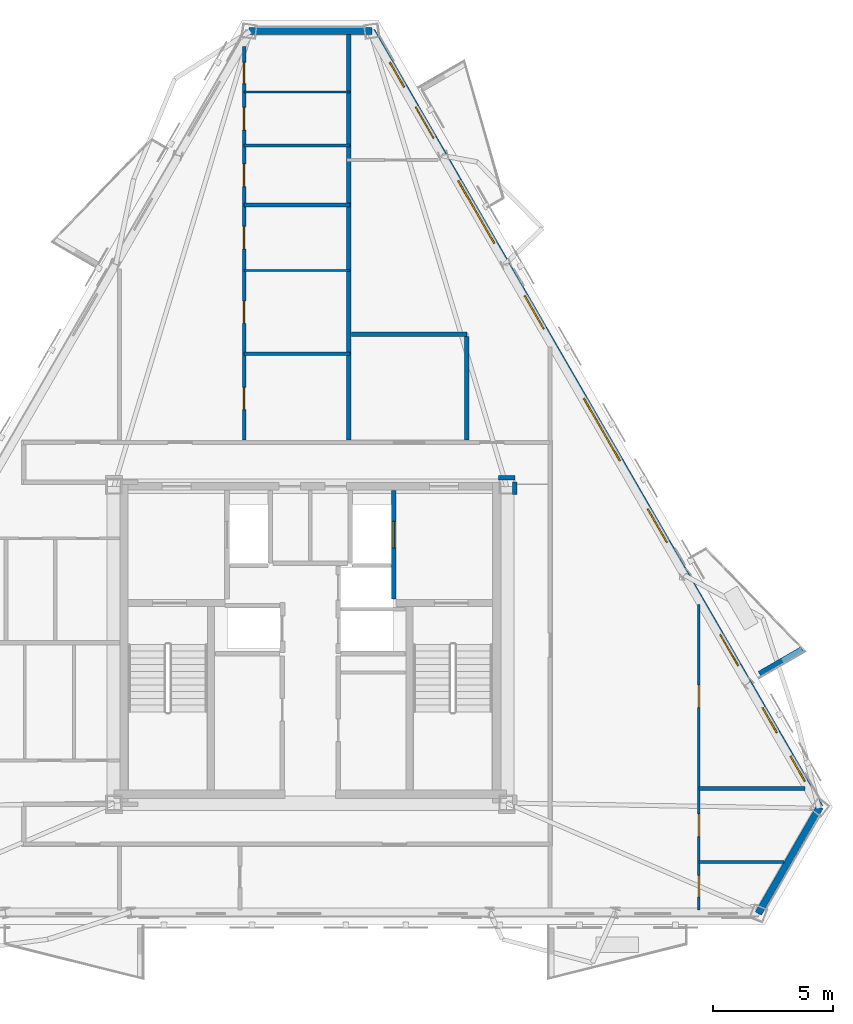
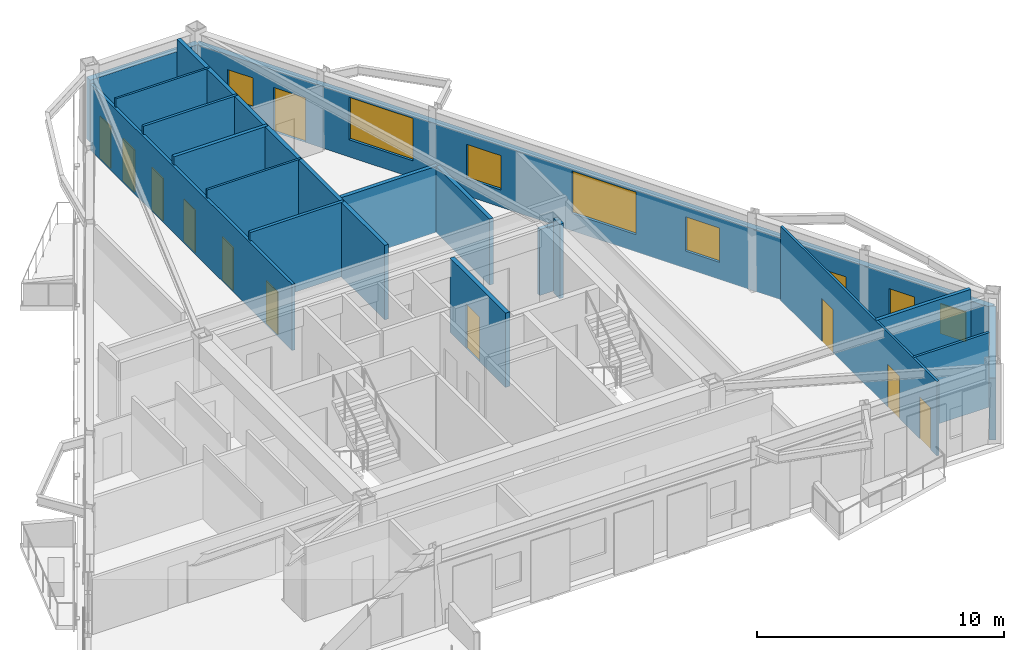
# One storey, part 5 of 9: 19 walls, 12 doors, 7 windows, 19 openings.
"""IFC4 building model written with IfcOpenShell, lengths in metres."""

from ifc_helpers import new_model, si_unit, direction, frame, frame_2d, origin, place, context, subcontext, project, spatial, polyline, rectangle, outline, extrude, material, layer, layer_set, type_object, element, fill, save


model = new_model("IFC4")

# Units and contexts
model_context = context("Model", 3, precision=1e-05, world=origin(), true_north=direction((0.0, 1.0)))
body_context = subcontext(model_context, "Body", "Model", "MODEL_VIEW")
ifc_project = project(units=[si_unit("LENGTHUNIT", "METRE"), si_unit("AREAUNIT", "SQUARE_METRE"), si_unit("VOLUMEUNIT", "CUBIC_METRE"), si_unit("PLANEANGLEUNIT", "RADIAN"), si_unit("MASSUNIT", "GRAM", prefix="KILO")], contexts=[model_context])

# Site, building, storey
site_placement = place(None, origin())
site = spatial("IfcSite", under=ifc_project, at=site_placement, CompositionType="ELEMENT")
building_placement = place(site_placement, origin())
building = spatial("IfcBuilding", under=site, at=building_placement, Name="Oramaril Tower", CompositionType="ELEMENT")
storey_placement = place(building_placement, frame((0.0, 0.0, 261.60009765625)))
storey = spatial("IfcBuildingStorey", under=building, at=storey_placement, Name="L69", CompositionType="ELEMENT", Elevation=261.60009765625)

# Wall
ifc_material_1 = material(Name="Warm Cream Limestone", Category="masonry")
ifc_layer_1 = layer(ifc_material_1, 0.2900390625)
ifc_layer_set_1 = layer_set([ifc_layer_1], Name="WT-EXT29")
wall_type_1 = type_object("IfcWallType", Name="WT-EXT29", PredefinedType="SOLIDWALL", material=ifc_layer_set_1)
wall_1_placement = place(storey_placement, frame((56.10009765625, 6.414306640625, 0.0), z_axis=(0.0, 0.0, 1.0), x_axis=(0.499981920546, 0.866035841711, 0.0)))
element("IfcWall", 1, at=wall_1_placement, inside=storey, type_object=wall_type_1, Name="L69 Tower Limestone Facade Wall 3M", PredefinedType="SOLIDWALL", context=body_context, shape_type="SweptSolid", body=[
    extrude(rectangle(XDim=5.104248046875, YDim=0.2900390625, at=frame_2d((2.55224609375, 0.0))), origin(), (0.0, 0.0, 1.0), 3.057861328125),
])

# Wall, openings, doors, windows
wall_2_placement = place(storey_placement, frame((58.652099609375, 10.834716796875, 0.0), z_axis=(0.0, 0.0, 1.0), x_axis=(-0.500002906693, 0.866023725598, 0.0)))
wall_2 = element("IfcWall", 2, at=wall_2_placement, inside=storey, type_object=wall_type_1, Name="L69 Tower Limestone Facade Wall 4M", PredefinedType="SOLIDWALL", context=body_context, shape_type="SweptSolid", body=[
    extrude(rectangle(XDim=37.199951171875, YDim=0.2900390625, at=frame_2d((18.60009765625, 0.0))), origin(), (0.0, 0.0, 1.0), 3.057861328125),
])
opening_1_placement = place(wall_2_placement, frame((6.7744140625, 0.0, 0.0)))
opening_1 = element("IfcOpeningElement", 3, at=opening_1_placement, cuts=wall_2, Name="Opening D-L69-BAL-NE1", PredefinedType="OPENING", context=body_context, shape_type="SweptSolid", body=[
    extrude(rectangle(XDim=1.5, YDim=2.199951171875, at=frame_2d((0.75, 1.10009765625))), frame((0.0, 0.14501953125, 0.0), z_axis=(0.0, -1.0, 0.0), x_axis=(1.0, 0.0, 0.0)), (0.0, 0.0, 1.0), 0.2900390625),
])
opening_2_placement = place(wall_2_placement, frame((32.060546875, 0.0, 0.0)))
opening_2 = element("IfcOpeningElement", 4, at=opening_2_placement, cuts=wall_2, Name="Opening D-L69-BAL-NE2", PredefinedType="OPENING", context=body_context, shape_type="SweptSolid", body=[
    extrude(rectangle(XDim=1.5, YDim=2.199951171875, at=frame_2d((0.75, 1.10009765625))), frame((0.0, 0.14501953125, 0.0), z_axis=(0.0, -1.0, 0.0), x_axis=(1.0, 0.0, 0.0)), (0.0, 0.0, 1.0), 0.2900390625),
])
opening_3_placement = place(wall_2_placement, frame((12.689208984375, 0.0, 0.85009765625)))
opening_3 = element("IfcOpeningElement", 5, at=opening_3_placement, cuts=wall_2, Name="Opening WN-07", PredefinedType="OPENING", context=body_context, shape_type="SweptSolid", body=[
    extrude(rectangle(XDim=1.60009765625, YDim=1.699951171875, at=frame_2d((0.800048828125, 0.85009765625))), frame((0.0, 0.14501953125, 0.0), z_axis=(0.0, -1.0, 0.0), x_axis=(1.0, 0.0, 0.0)), (0.0, 0.0, 1.0), 0.2900390625),
])
opening_4_placement = place(wall_2_placement, frame((16.59912109375, 0.0, 0.85009765625)))
opening_4 = element("IfcOpeningElement", 6, at=opening_4_placement, cuts=wall_2, Name="Opening WN-10", PredefinedType="OPENING", context=body_context, shape_type="SweptSolid", body=[
    extrude(rectangle(XDim=3.0, YDim=2.097900390625, at=frame_2d((1.5, 1.048828125))), frame((0.0, 0.14501953125, 0.0), z_axis=(0.0, -1.0, 0.0), x_axis=(1.0, 0.0, 0.0)), (0.0, 0.0, 1.0), 0.2900390625),
])
opening_5_placement = place(wall_2_placement, frame((1.240478515625, 0.0, 0.85009765625)))
opening_5 = element("IfcOpeningElement", 7, at=opening_5_placement, cuts=wall_2, Name="Opening WN-09", PredefinedType="OPENING", context=body_context, shape_type="SweptSolid", body=[
    extrude(rectangle(XDim=1.199951171875, YDim=1.47998046875, at=frame_2d((0.60009765625, 0.739990234375))), frame((0.0, 0.14501953125, 0.0), z_axis=(0.0, -1.0, 0.0), x_axis=(1.0, 0.0, 0.0)), (0.0, 0.0, 1.0), 0.2900390625),
])
opening_6_placement = place(wall_2_placement, frame((3.56591796875, 0.0, 0.85009765625)))
opening_6 = element("IfcOpeningElement", 8, at=opening_6_placement, cuts=wall_2, Name="Opening WN-09", PredefinedType="OPENING", context=body_context, shape_type="SweptSolid", body=[
    extrude(rectangle(XDim=1.199951171875, YDim=1.47998046875, at=frame_2d((0.60009765625, 0.739990234375))), frame((0.0, 0.14501953125, 0.0), z_axis=(0.0, -1.0, 0.0), x_axis=(1.0, 0.0, 0.0)), (0.0, 0.0, 1.0), 0.2900390625),
])
opening_7_placement = place(wall_2_placement, frame((22.9169921875, 0.0, 0.85009765625)))
opening_7 = element("IfcOpeningElement", 9, at=opening_7_placement, cuts=wall_2, Name="Opening WN-07", PredefinedType="OPENING", context=body_context, shape_type="SweptSolid", body=[
    extrude(rectangle(XDim=1.60009765625, YDim=1.699951171875, at=frame_2d((0.800048828125, 0.85009765625))), frame((0.0, 0.14501953125, 0.0), z_axis=(0.0, -1.0, 0.0), x_axis=(1.0, 0.0, 0.0)), (0.0, 0.0, 1.0), 0.2900390625),
])
opening_8_placement = place(wall_2_placement, frame((27.02490234375, 0.0, 0.85009765625)))
opening_8 = element("IfcOpeningElement", 10, at=opening_8_placement, cuts=wall_2, Name="Opening WN-10", PredefinedType="OPENING", context=body_context, shape_type="SweptSolid", body=[
    extrude(rectangle(XDim=3.0, YDim=2.097900390625, at=frame_2d((1.5, 1.048828125))), frame((0.0, 0.14501953125, 0.0), z_axis=(0.0, -1.0, 0.0), x_axis=(1.0, 0.0, 0.0)), (0.0, 0.0, 1.0), 0.2900390625),
])
opening_9_placement = place(wall_2_placement, frame((34.50830078125, 0.0, 0.85009765625)))
opening_9 = element("IfcOpeningElement", 11, at=opening_9_placement, cuts=wall_2, Name="Opening WN-09", PredefinedType="OPENING", context=body_context, shape_type="SweptSolid", body=[
    extrude(rectangle(XDim=1.199951171875, YDim=1.47998046875, at=frame_2d((0.60009765625, 0.739990234375))), frame((0.0, 0.14501953125, 0.0), z_axis=(0.0, -1.0, 0.0), x_axis=(1.0, 0.0, 0.0)), (0.0, 0.0, 1.0), 0.2900390625),
])
ifc_material_2 = material(Name="Anodised Aluminium 6063-T6", Category="aluminium")
door_type_1 = type_object("IfcDoorType", Name="DT-BAL", OperationType="NOTDEFINED", PredefinedType="DOOR", material=ifc_material_2)
door_1_placement = place(opening_1_placement, origin())
door_1 = element("IfcDoor", 12, at=door_1_placement, inside=storey, type_object=door_type_1, Name="L69 Balcony Glazed Door L69-BAL-NE1", OperationType="SINGLE_SWING_RIGHT", OverallHeight=2.199951171875, OverallWidth=1.5, PredefinedType="DOOR", context=body_context, shape_type="SweptSolid", body=[
    extrude(rectangle(XDim=1.5, YDim=2.199951171875, at=frame_2d((0.75, 1.10009765625))), frame((0.0, 0.02490234375, 0.0), z_axis=(0.0, -1.0, 0.0), x_axis=(1.0, 0.0, 0.0)), (0.0, 0.0, 1.0), 0.050048828125),
])
fill(opening_1, door_1)
door_2_placement = place(opening_2_placement, origin())
door_2 = element("IfcDoor", 13, at=door_2_placement, inside=storey, type_object=door_type_1, Name="L69 Balcony Glazed Door L69-BAL-NE2", OperationType="SINGLE_SWING_LEFT", OverallHeight=2.199951171875, OverallWidth=1.5, PredefinedType="DOOR", context=body_context, shape_type="SweptSolid", body=[
    extrude(rectangle(XDim=1.5, YDim=2.199951171875, at=frame_2d((0.75, 1.10009765625))), frame((0.0, 0.02490234375, 0.0), z_axis=(0.0, -1.0, 0.0), x_axis=(1.0, 0.0, 0.0)), (0.0, 0.0, 1.0), 0.050048828125),
])
fill(opening_2, door_2)
ifc_material_3 = material(Name="Coastal Low-E Insulated Glass", Category="glass")
window_type_1 = type_object("IfcWindowType", Name="WNT-07", PartitioningType="SINGLE_PANEL", PredefinedType="WINDOW", material=ifc_material_3)
window_1_placement = place(opening_3_placement, origin())
window_1 = element("IfcWindow", 14, at=window_1_placement, inside=storey, type_object=window_type_1, Name="L69 Chicago Bay Window WN-07", OverallHeight=1.699951171875, OverallWidth=1.60009765625, PartitioningType="SINGLE_PANEL", PredefinedType="WINDOW", context=body_context, shape_type="SweptSolid", body=[
    extrude(rectangle(XDim=1.60009765625, YDim=1.699951171875, at=frame_2d((0.800048828125, 0.85009765625))), frame((0.0, 0.030029296875, 0.0), z_axis=(0.0, -1.0, 0.0), x_axis=(1.0, 0.0, 0.0)), (0.0, 0.0, 1.0), 0.06005859375),
])
fill(opening_3, window_1)
window_2_placement = place(opening_7_placement, origin())
window_2 = element("IfcWindow", 15, at=window_2_placement, inside=storey, type_object=window_type_1, Name="L69 Chicago Bay Window WN-07", OverallHeight=1.699951171875, OverallWidth=1.60009765625, PartitioningType="SINGLE_PANEL", PredefinedType="WINDOW", context=body_context, shape_type="SweptSolid", body=[
    extrude(rectangle(XDim=1.60009765625, YDim=1.699951171875, at=frame_2d((0.800048828125, 0.85009765625))), frame((0.0, 0.030029296875, 0.0), z_axis=(0.0, -1.0, 0.0), x_axis=(1.0, 0.0, 0.0)), (0.0, 0.0, 1.0), 0.06005859375),
])
fill(opening_7, window_2)
ifc_material_4 = material(Name="Coastal Low-E Insulated Glass", Category="glass")
window_type_2 = type_object("IfcWindowType", Name="WNT-09", PartitioningType="SINGLE_PANEL", PredefinedType="WINDOW", material=ifc_material_4)
window_3_placement = place(opening_5_placement, origin())
window_3 = element("IfcWindow", 16, at=window_3_placement, inside=storey, type_object=window_type_2, Name="L69 Chicago Bay Window WN-09", OverallHeight=1.47998046875, OverallWidth=1.199951171875, PartitioningType="SINGLE_PANEL", PredefinedType="WINDOW", context=body_context, shape_type="SweptSolid", body=[
    extrude(rectangle(XDim=1.199951171875, YDim=1.47998046875, at=frame_2d((0.60009765625, 0.739990234375))), frame((0.0, 0.030029296875, 0.0), z_axis=(0.0, -1.0, 0.0), x_axis=(1.0, 0.0, 0.0)), (0.0, 0.0, 1.0), 0.06005859375),
])
fill(opening_5, window_3)
window_4_placement = place(opening_6_placement, origin())
window_4 = element("IfcWindow", 17, at=window_4_placement, inside=storey, type_object=window_type_2, Name="L69 Chicago Bay Window WN-09", OverallHeight=1.47998046875, OverallWidth=1.199951171875, PartitioningType="SINGLE_PANEL", PredefinedType="WINDOW", context=body_context, shape_type="SweptSolid", body=[
    extrude(rectangle(XDim=1.199951171875, YDim=1.47998046875, at=frame_2d((0.60009765625, 0.739990234375))), frame((0.0, 0.030029296875, 0.0), z_axis=(0.0, -1.0, 0.0), x_axis=(1.0, 0.0, 0.0)), (0.0, 0.0, 1.0), 0.06005859375),
])
fill(opening_6, window_4)
window_5_placement = place(opening_9_placement, origin())
window_5 = element("IfcWindow", 18, at=window_5_placement, inside=storey, type_object=window_type_2, Name="L69 Chicago Bay Window WN-09", OverallHeight=1.47998046875, OverallWidth=1.199951171875, PartitioningType="SINGLE_PANEL", PredefinedType="WINDOW", context=body_context, shape_type="SweptSolid", body=[
    extrude(rectangle(XDim=1.199951171875, YDim=1.47998046875, at=frame_2d((0.60009765625, 0.739990234375))), frame((0.0, 0.030029296875, 0.0), z_axis=(0.0, -1.0, 0.0), x_axis=(1.0, 0.0, 0.0)), (0.0, 0.0, 1.0), 0.06005859375),
])
fill(opening_9, window_5)
ifc_material_5 = material(Name="Coastal Low-E Insulated Glass", Category="glass")
window_type_3 = type_object("IfcWindowType", Name="WNT-10", PartitioningType="SINGLE_PANEL", PredefinedType="WINDOW", material=ifc_material_5)
window_6_placement = place(opening_4_placement, origin())
window_6 = element("IfcWindow", 19, at=window_6_placement, inside=storey, type_object=window_type_3, Name="L69 Chicago Bay Window WN-10", OverallHeight=2.097900390625, OverallWidth=3.0, PartitioningType="SINGLE_PANEL", PredefinedType="WINDOW", context=body_context, shape_type="SweptSolid", body=[
    extrude(rectangle(XDim=3.0, YDim=2.097900390625, at=frame_2d((1.5, 1.048828125))), frame((0.0, 0.030029296875, 0.0), z_axis=(0.0, -1.0, 0.0), x_axis=(1.0, 0.0, 0.0)), (0.0, 0.0, 1.0), 0.06005859375),
])
fill(opening_4, window_6)
window_7_placement = place(opening_8_placement, origin())
window_7 = element("IfcWindow", 20, at=window_7_placement, inside=storey, type_object=window_type_3, Name="L69 Chicago Bay Window WN-10", OverallHeight=2.097900390625, OverallWidth=3.0, PartitioningType="SINGLE_PANEL", PredefinedType="WINDOW", context=body_context, shape_type="SweptSolid", body=[
    extrude(rectangle(XDim=3.0, YDim=2.097900390625, at=frame_2d((1.5, 1.048828125))), frame((0.0, 0.030029296875, 0.0), z_axis=(0.0, -1.0, 0.0), x_axis=(1.0, 0.0, 0.0)), (0.0, 0.0, 1.0), 0.06005859375),
])
fill(opening_8, window_7)

# Walls
wall_3_placement = place(storey_placement, frame((40.052001953125, 43.05078125, 0.0), z_axis=(0.0, 0.0, 1.0), x_axis=(-1.0, 0.0, 0.0)))
element("IfcWall", 21, at=wall_3_placement, inside=storey, type_object=wall_type_1, Name="L69 Tower Limestone Facade Wall 5M", PredefinedType="SOLIDWALL", context=body_context, shape_type="SweptSolid", body=[
    extrude(rectangle(XDim=5.10400390625, YDim=0.2900390625, at=frame_2d((2.552001953125, 0.0))), origin(), (0.0, 0.0, 1.0), 3.057861328125),
])
ifc_material_6 = material(Name="Concrete C40/50", Category="concrete")
ifc_layer_2 = layer(ifc_material_6, 0.22998046875)
ifc_layer_set_2 = layer_set([ifc_layer_2], Name="WT-PRP23")
wall_type_2 = type_object("IfcWallType", Name="WT-PRP23", PredefinedType="PARAPET", material=ifc_layer_set_2)
wall_4_placement = place(storey_placement, frame((56.150146484375, 16.364013671875, 0.0), z_axis=(0.0, 0.0, 1.0), x_axis=(0.866042246008, 0.499970827278, 0.0)))
element("IfcWall", 22, at=wall_4_placement, inside=storey, type_object=wall_type_2, Name="L69 Trapezoidal Balcony Frame Cheek L69-BAL-NE1-L", PredefinedType="PARAPET", context=body_context, shape_type="SweptSolid", body=[
    extrude(outline(polyline([(0.0, 0.0), (2.0419921875, 0.0), (2.0419921875, 1.099853515625), (0.0, 1.31982421875), (0.0, 0.0)])), frame((0.0, 0.114990234375, 0.0), z_axis=(0.0, -1.0, 0.0), x_axis=(1.0, 0.0, 0.0)), (0.0, 0.0, 1.0), 0.22998046875),
])
ifc_material_7 = material(Name="Acoustic Gypsum Board Partition")
ifc_layer_3 = layer(ifc_material_7, 0.10009765625)
ifc_layer_set_3 = layer_set([ifc_layer_3], Name="WT-PT10")
wall_type_3 = type_object("IfcWallType", Name="WT-PT10", PredefinedType="PARTITIONING", material=ifc_layer_set_3)
for number, where, z_axis, x_axis, name in (
    (23, (34.75, 33.110107421875, 0.0), (0.0, 0.0, 1.0), (1.0, 0.0, 0.0), "L69 Interior Partition PT-10"),
    (24, (34.75, 40.52001953125, 0.0), (0.0, 0.0, 1.0), (1.0, 0.0, 0.0), "L69 Interior Partition PT-10"),
):
    element("IfcWall", number, at=place(storey_placement, frame(where, z_axis=z_axis, x_axis=x_axis)), inside=storey, type_object=wall_type_3, Name=name, PredefinedType="PARTITIONING", context=body_context, shape_type="SweptSolid", body=[
        extrude(rectangle(XDim=4.39990234375, YDim=0.10009765625, at=frame_2d((2.199951171875, 0.0))), origin(), (0.0, 0.0, 1.0), 3.679931640625),
    ])

# Wall, openings, doors
wall_5_placement = place(storey_placement, frame((53.6298828125, 6.5634765625, 0.0), z_axis=(0.0, 0.0, 1.0), x_axis=(0.0, 1.0, 0.0)))
wall_5 = element("IfcWall", 25, at=wall_5_placement, inside=storey, type_object=wall_type_3, Name="L69 Interior Partition PT-10", PredefinedType="PARTITIONING", context=body_context, shape_type="SweptSolid", body=[
    extrude(rectangle(XDim=12.671630859375, YDim=0.10009765625, at=frame_2d((6.3359375, 0.0))), origin(), (0.0, 0.0, 1.0), 3.679931640625),
])
opening_10_placement = place(wall_5_placement, frame((0.539794921875, 0.0, 0.0)))
opening_10 = element("IfcOpeningElement", 26, at=opening_10_placement, cuts=wall_5, Name="Opening D-L69-22", PredefinedType="OPENING", context=body_context, shape_type="SweptSolid", body=[
    extrude(rectangle(XDim=0.8798828125, YDim=2.080078125, at=frame_2d((0.43994140625, 1.0400390625))), frame((0.0, 0.050048828125, 0.0), z_axis=(0.0, -1.0, 0.0), x_axis=(1.0, 0.0, 0.0)), (0.0, 0.0, 1.0), 0.10009765625),
])
opening_11_placement = place(wall_5_placement, frame((3.03857421875, 0.0, 0.0)))
opening_11 = element("IfcOpeningElement", 27, at=opening_11_placement, cuts=wall_5, Name="Opening D-L69-23", PredefinedType="OPENING", context=body_context, shape_type="SweptSolid", body=[
    extrude(rectangle(XDim=0.949951171875, YDim=2.10009765625, at=frame_2d((0.47509765625, 1.050048828125))), frame((0.0, 0.050048828125, 0.0), z_axis=(0.0, -1.0, 0.0), x_axis=(1.0, 0.0, 0.0)), (0.0, 0.0, 1.0), 0.10009765625),
])
opening_12_placement = place(wall_5_placement, frame((8.41259765625, 0.0, 0.0)))
opening_12 = element("IfcOpeningElement", 28, at=opening_12_placement, cuts=wall_5, Name="Opening D-L69-24", PredefinedType="OPENING", context=body_context, shape_type="SweptSolid", body=[
    extrude(rectangle(XDim=0.919921875, YDim=2.1201171875, at=frame_2d((0.4599609375, 1.06005859375))), frame((0.0, 0.050048828125, 0.0), z_axis=(0.0, -1.0, 0.0), x_axis=(1.0, 0.0, 0.0)), (0.0, 0.0, 1.0), 0.10009765625),
])
ifc_material_8 = material(Name="FSC Brazilian Freijo Hardwood", Category="wood")
door_type_2 = type_object("IfcDoorType", Name="DT-BATH", OperationType="NOTDEFINED", PredefinedType="DOOR", material=ifc_material_8)
door_3_placement = place(opening_10_placement, origin())
door_3 = element("IfcDoor", 29, at=door_3_placement, inside=storey, type_object=door_type_2, Name="L69 Flat L69-U4 Bathroom Door D-L69-22", OperationType="SINGLE_SWING_LEFT", OverallHeight=2.080078125, OverallWidth=0.8798828125, PredefinedType="DOOR", context=body_context, shape_type="SweptSolid", body=[
    extrude(rectangle(XDim=0.8798828125, YDim=2.080078125, at=frame_2d((0.43994140625, 1.0400390625))), frame((0.0, 0.02490234375, 0.0), z_axis=(0.0, -1.0, 0.0), x_axis=(1.0, 0.0, 0.0)), (0.0, 0.0, 1.0), 0.050048828125),
])
fill(opening_10, door_3)
ifc_material_9 = material(Name="FSC Brazilian Freijo Hardwood", Category="wood")
door_type_3 = type_object("IfcDoorType", Name="DT-BED", OperationType="NOTDEFINED", PredefinedType="DOOR", material=ifc_material_9)
door_4_placement = place(opening_12_placement, origin())
door_4 = element("IfcDoor", 30, at=door_4_placement, inside=storey, type_object=door_type_3, Name="L69 Flat L69-U4 Master Bedroom Door D-L69-24", OperationType="SINGLE_SWING_LEFT", OverallHeight=2.1201171875, OverallWidth=0.919921875, PredefinedType="DOOR", context=body_context, shape_type="SweptSolid", body=[
    extrude(rectangle(XDim=0.919921875, YDim=2.1201171875, at=frame_2d((0.4599609375, 1.06005859375))), frame((0.0, 0.02490234375, 0.0), z_axis=(0.0, -1.0, 0.0), x_axis=(1.0, 0.0, 0.0)), (0.0, 0.0, 1.0), 0.050048828125),
])
fill(opening_12, door_4)
ifc_material_10 = material(Name="FSC Brazilian Freijo Hardwood", Category="wood")
door_type_4 = type_object("IfcDoorType", Name="DT-STDY", OperationType="NOTDEFINED", PredefinedType="DOOR", material=ifc_material_10)
door_5_placement = place(opening_11_placement, origin())
door_5 = element("IfcDoor", 31, at=door_5_placement, inside=storey, type_object=door_type_4, Name="L69 Flat L69-U4 Kitchen Door D-L69-23", OperationType="SINGLE_SWING_RIGHT", OverallHeight=2.10009765625, OverallWidth=0.949951171875, PredefinedType="DOOR", context=body_context, shape_type="SweptSolid", body=[
    extrude(rectangle(XDim=0.949951171875, YDim=2.10009765625, at=frame_2d((0.47509765625, 1.050048828125))), frame((0.0, 0.02490234375, 0.0), z_axis=(0.0, -1.0, 0.0), x_axis=(1.0, 0.0, 0.0)), (0.0, 0.0, 1.0), 0.050048828125),
])
fill(opening_11, door_5)

# Walls
ifc_material_11 = material(Name="Acoustic Gypsum Board Partition")
ifc_layer_4 = layer(ifc_material_11, 0.1201171875)
ifc_layer_set_4 = layer_set([ifc_layer_4], Name="WT-PT12")
wall_type_4 = type_object("IfcWallType", Name="WT-PT12", PredefinedType="PARTITIONING", material=ifc_layer_set_4)
wall_6_placement = place(storey_placement, frame((53.626220703125, 8.550048828125, 0.0), z_axis=(0.0, 0.0, 1.0), x_axis=(1.0, 0.0, 0.0)))
element("IfcWall", 32, at=wall_6_placement, inside=storey, type_object=wall_type_4, Name="L69 Interior Partition PT-12", PredefinedType="PARTITIONING", context=body_context, shape_type="SweptSolid", body=[
    extrude(rectangle(XDim=3.53466796875, YDim=0.1201171875, at=frame_2d((1.767333984375, 0.0))), origin(), (0.0, 0.0, 1.0), 3.679931640625),
])
wall_7_placement = place(storey_placement, frame((34.75, 38.300048828125, 0.0), z_axis=(0.0, 0.0, 1.0), x_axis=(1.0, 0.0, 0.0)))
element("IfcWall", 33, at=wall_7_placement, inside=storey, type_object=wall_type_4, Name="L69 Interior Partition PT-12", PredefinedType="PARTITIONING", context=body_context, shape_type="SweptSolid", body=[
    extrude(rectangle(XDim=4.39990234375, YDim=0.1201171875, at=frame_2d((2.199951171875, 0.0))), origin(), (0.0, 0.0, 1.0), 3.679931640625),
])
ifc_material_12 = material(Name="Acoustic Gypsum Board Partition")
ifc_layer_5 = layer(ifc_material_12, 0.139892578125)
ifc_layer_set_5 = layer_set([ifc_layer_5], Name="WT-PT14")
wall_type_5 = type_object("IfcWallType", Name="WT-PT14", PredefinedType="PARTITIONING", material=ifc_layer_set_5)
wall_8_placement = place(storey_placement, frame((34.75, 29.64990234375, 0.0), z_axis=(0.0, 0.0, 1.0), x_axis=(1.0, 0.0, 0.0)))
element("IfcWall", 34, at=wall_8_placement, inside=storey, type_object=wall_type_5, Name="L69 Interior Partition PT-14", PredefinedType="PARTITIONING", context=body_context, shape_type="SweptSolid", body=[
    extrude(rectangle(XDim=4.39990234375, YDim=0.139892578125, at=frame_2d((2.199951171875, 0.0))), origin(), (0.0, 0.0, 1.0), 3.679931640625),
])

# Wall, openings, doors
wall_9_placement = place(storey_placement, frame((34.75, 26.06396484375, 0.0), z_axis=(0.0, 0.0, 1.0), x_axis=(0.0, 1.0, 0.0)))
wall_9 = element("IfcWall", 35, at=wall_9_placement, inside=storey, type_object=wall_type_5, Name="L69 Interior Partition PT-14", PredefinedType="PARTITIONING", context=body_context, shape_type="SweptSolid", body=[
    extrude(rectangle(XDim=16.345947265625, YDim=0.139892578125, at=frame_2d((8.1728515625, 0.0))), origin(), (0.0, 0.0, 1.0), 3.265869140625),
])
opening_13_placement = place(wall_9_placement, frame((1.2705078125, 0.0, 0.0)))
opening_13 = element("IfcOpeningElement", 36, at=opening_13_placement, cuts=wall_9, Name="Opening D-L69-15", PredefinedType="OPENING", context=body_context, shape_type="SweptSolid", body=[
    extrude(rectangle(XDim=0.919921875, YDim=2.1201171875, at=frame_2d((0.4599609375, 1.06005859375))), frame((0.0, 0.06982421875, 0.0), z_axis=(0.0, -1.0, 0.0), x_axis=(1.0, 0.0, 0.0)), (0.0, 0.0, 1.0), 0.139892578125),
])
opening_14_placement = place(wall_9_placement, frame((4.855712890625, 0.0, 0.0)))
opening_14 = element("IfcOpeningElement", 37, at=opening_14_placement, cuts=wall_9, Name="Opening D-L69-16", PredefinedType="OPENING", context=body_context, shape_type="SweptSolid", body=[
    extrude(rectangle(XDim=0.919921875, YDim=2.1201171875, at=frame_2d((0.4599609375, 1.06005859375))), frame((0.0, 0.06982421875, 0.0), z_axis=(0.0, -1.0, 0.0), x_axis=(1.0, 0.0, 0.0)), (0.0, 0.0, 1.0), 0.139892578125),
])
opening_15_placement = place(wall_9_placement, frame((7.93115234375, 0.0, 0.0)))
opening_15 = element("IfcOpeningElement", 38, at=opening_15_placement, cuts=wall_9, Name="Opening D-L69-17", PredefinedType="OPENING", context=body_context, shape_type="SweptSolid", body=[
    extrude(rectangle(XDim=0.949951171875, YDim=2.10009765625, at=frame_2d((0.47509765625, 1.050048828125))), frame((0.0, 0.06982421875, 0.0), z_axis=(0.0, -1.0, 0.0), x_axis=(1.0, 0.0, 0.0)), (0.0, 0.0, 1.0), 0.139892578125),
])
opening_16_placement = place(wall_9_placement, frame((10.52734375, 0.0, 0.0)))
opening_16 = element("IfcOpeningElement", 39, at=opening_16_placement, cuts=wall_9, Name="Opening D-L69-18", PredefinedType="OPENING", context=body_context, shape_type="SweptSolid", body=[
    extrude(rectangle(XDim=0.949951171875, YDim=2.10009765625, at=frame_2d((0.47509765625, 1.050048828125))), frame((0.0, 0.06982421875, 0.0), z_axis=(0.0, -1.0, 0.0), x_axis=(1.0, 0.0, 0.0)), (0.0, 0.0, 1.0), 0.139892578125),
])
opening_17_placement = place(wall_9_placement, frame((12.87109375, 0.0, 0.0)))
opening_17 = element("IfcOpeningElement", 40, at=opening_17_placement, cuts=wall_9, Name="Opening D-L69-19", PredefinedType="OPENING", context=body_context, shape_type="SweptSolid", body=[
    extrude(rectangle(XDim=0.949951171875, YDim=2.10009765625, at=frame_2d((0.47509765625, 1.050048828125))), frame((0.0, 0.06982421875, 0.0), z_axis=(0.0, -1.0, 0.0), x_axis=(1.0, 0.0, 0.0)), (0.0, 0.0, 1.0), 0.139892578125),
])
opening_18_placement = place(wall_9_placement, frame((14.803955078125, 0.0, 0.0)))
opening_18 = element("IfcOpeningElement", 41, at=opening_18_placement, cuts=wall_9, Name="Opening D-L69-20", PredefinedType="OPENING", context=body_context, shape_type="SweptSolid", body=[
    extrude(rectangle(XDim=0.8798828125, YDim=2.080078125, at=frame_2d((0.43994140625, 1.0400390625))), frame((0.0, 0.06982421875, 0.0), z_axis=(0.0, -1.0, 0.0), x_axis=(1.0, 0.0, 0.0)), (0.0, 0.0, 1.0), 0.139892578125),
])
door_6_placement = place(opening_18_placement, origin())
door_6 = element("IfcDoor", 42, at=door_6_placement, inside=storey, type_object=door_type_2, Name="L69 Flat L69-U5 Bathroom Door D-L69-20", OperationType="SINGLE_SWING_LEFT", OverallHeight=2.080078125, OverallWidth=0.8798828125, PredefinedType="DOOR", context=body_context, shape_type="SweptSolid", body=[
    extrude(rectangle(XDim=0.8798828125, YDim=2.080078125, at=frame_2d((0.43994140625, 1.0400390625))), frame((0.0, 0.02490234375, 0.0), z_axis=(0.0, -1.0, 0.0), x_axis=(1.0, 0.0, 0.0)), (0.0, 0.0, 1.0), 0.050048828125),
])
fill(opening_18, door_6)
door_7_placement = place(opening_13_placement, origin())
door_7 = element("IfcDoor", 43, at=door_7_placement, inside=storey, type_object=door_type_3, Name="L69 Flat L69-U5 Master Bedroom Door D-L69-15", OperationType="SINGLE_SWING_RIGHT", OverallHeight=2.1201171875, OverallWidth=0.919921875, PredefinedType="DOOR", context=body_context, shape_type="SweptSolid", body=[
    extrude(rectangle(XDim=0.919921875, YDim=2.1201171875, at=frame_2d((0.4599609375, 1.06005859375))), frame((0.0, 0.02490234375, 0.0), z_axis=(0.0, -1.0, 0.0), x_axis=(1.0, 0.0, 0.0)), (0.0, 0.0, 1.0), 0.050048828125),
])
fill(opening_13, door_7)
door_8_placement = place(opening_14_placement, origin())
door_8 = element("IfcDoor", 44, at=door_8_placement, inside=storey, type_object=door_type_3, Name="L69 Flat L69-U5 Bedroom 2 Door D-L69-16", OperationType="SINGLE_SWING_LEFT", OverallHeight=2.1201171875, OverallWidth=0.919921875, PredefinedType="DOOR", context=body_context, shape_type="SweptSolid", body=[
    extrude(rectangle(XDim=0.919921875, YDim=2.1201171875, at=frame_2d((0.4599609375, 1.06005859375))), frame((0.0, 0.02490234375, 0.0), z_axis=(0.0, -1.0, 0.0), x_axis=(1.0, 0.0, 0.0)), (0.0, 0.0, 1.0), 0.050048828125),
])
fill(opening_14, door_8)
door_9_placement = place(opening_15_placement, origin())
door_9 = element("IfcDoor", 45, at=door_9_placement, inside=storey, type_object=door_type_4, Name="L69 Flat L69-U5 Reading Study Door D-L69-17", OperationType="SINGLE_SWING_RIGHT", OverallHeight=2.10009765625, OverallWidth=0.949951171875, PredefinedType="DOOR", context=body_context, shape_type="SweptSolid", body=[
    extrude(rectangle(XDim=0.949951171875, YDim=2.10009765625, at=frame_2d((0.47509765625, 1.050048828125))), frame((0.0, 0.02490234375, 0.0), z_axis=(0.0, -1.0, 0.0), x_axis=(1.0, 0.0, 0.0)), (0.0, 0.0, 1.0), 0.050048828125),
])
fill(opening_15, door_9)
door_10_placement = place(opening_16_placement, origin())
door_10 = element("IfcDoor", 46, at=door_10_placement, inside=storey, type_object=door_type_4, Name="L69 Flat L69-U5 Private Dining Room Door D-L69-18", OperationType="SINGLE_SWING_LEFT", OverallHeight=2.10009765625, OverallWidth=0.949951171875, PredefinedType="DOOR", context=body_context, shape_type="SweptSolid", body=[
    extrude(rectangle(XDim=0.949951171875, YDim=2.10009765625, at=frame_2d((0.47509765625, 1.050048828125))), frame((0.0, 0.02490234375, 0.0), z_axis=(0.0, -1.0, 0.0), x_axis=(1.0, 0.0, 0.0)), (0.0, 0.0, 1.0), 0.050048828125),
])
fill(opening_16, door_10)
door_11_placement = place(opening_17_placement, origin())
door_11 = element("IfcDoor", 47, at=door_11_placement, inside=storey, type_object=door_type_4, Name="L69 Flat L69-U5 Kitchen Door D-L69-19", OperationType="SINGLE_SWING_RIGHT", OverallHeight=2.10009765625, OverallWidth=0.949951171875, PredefinedType="DOOR", context=body_context, shape_type="SweptSolid", body=[
    extrude(rectangle(XDim=0.949951171875, YDim=2.10009765625, at=frame_2d((0.47509765625, 1.050048828125))), frame((0.0, 0.02490234375, 0.0), z_axis=(0.0, -1.0, 0.0), x_axis=(1.0, 0.0, 0.0)), (0.0, 0.0, 1.0), 0.050048828125),
])
fill(opening_17, door_11)

# Walls
ifc_material_13 = material(Name="Acoustic Gypsum Board Partition")
ifc_layer_6 = layer(ifc_material_13, 0.159912109375)
ifc_layer_set_6 = layer_set([ifc_layer_6], Name="WT-PT16")
wall_type_6 = type_object("IfcWallType", Name="WT-PT16", PredefinedType="PARTITIONING", material=ifc_layer_set_6)
wall_10_placement = place(storey_placement, frame((53.626220703125, 11.60009765625, 0.0), z_axis=(0.0, 0.0, 1.0), x_axis=(1.0, 0.0, 0.0)))
element("IfcWall", 48, at=wall_10_placement, inside=storey, type_object=wall_type_6, Name="L69 Interior Partition PT-16", PredefinedType="PARTITIONING", context=body_context, shape_type="SweptSolid", body=[
    extrude(rectangle(XDim=4.411865234375, YDim=0.159912109375, at=frame_2d((2.2060546875, 0.0))), origin(), (0.0, 0.0, 1.0), 3.679931640625),
])
wall_11_placement = place(storey_placement, frame((34.75, 35.830078125, 0.0), z_axis=(0.0, 0.0, 1.0), x_axis=(1.0, 0.0, 0.0)))
element("IfcWall", 49, at=wall_11_placement, inside=storey, type_object=wall_type_6, Name="L69 Interior Partition PT-16", PredefinedType="PARTITIONING", context=body_context, shape_type="SweptSolid", body=[
    extrude(rectangle(XDim=4.39990234375, YDim=0.159912109375, at=frame_2d((2.199951171875, 0.0))), origin(), (0.0, 0.0, 1.0), 3.679931640625),
])
ifc_material_14 = material(Name="Autoclaved Cellular Concrete Block", Category="concrete")
ifc_layer_7 = layer(ifc_material_14, 0.179931640625)
ifc_layer_set_7 = layer_set([ifc_layer_7], Name="WT-PT18")
wall_type_7 = type_object("IfcWallType", Name="WT-PT18", PredefinedType="PARTITIONING", material=ifc_layer_set_7)
wall_12_placement = place(storey_placement, frame((45.304931640625, 24.5, 0.0), z_axis=(0.0, 0.0, 1.0), x_axis=(1.0, 0.0, 0.0)))
element("IfcWall", 50, at=wall_12_placement, inside=storey, type_object=wall_type_7, Name="L69 Interior Partition PT-18", PredefinedType="PARTITIONING", context=body_context, shape_type="SweptSolid", body=[
    extrude(rectangle(XDim=0.690185546875, YDim=0.179931640625, at=frame_2d((0.34521484375, 0.0))), origin(), (0.0, 0.0, 1.0), 3.265869140625),
])
wall_13_placement = place(storey_placement, frame((39.199951171875, 30.469970703125, 0.0), z_axis=(0.0, 0.0, 1.0), x_axis=(1.0, 0.0, 0.0)))
element("IfcWall", 51, at=wall_13_placement, inside=storey, type_object=wall_type_7, Name="L69 Interior Partition PT-18", PredefinedType="PARTITIONING", context=body_context, shape_type="SweptSolid", body=[
    extrude(rectangle(XDim=4.800048828125, YDim=0.179931640625, at=frame_2d((2.39990234375, 0.0))), origin(), (0.0, 0.0, 1.0), 3.265869140625),
])
wall_14_placement = place(storey_placement, frame((39.10009765625, 26.06396484375, 0.0), z_axis=(0.0, 0.0, 1.0), x_axis=(0.0, 1.0, 0.0)))
element("IfcWall", 52, at=wall_14_placement, inside=storey, type_object=wall_type_7, Name="L69 Interior Partition PT-18", PredefinedType="PARTITIONING", context=body_context, shape_type="SweptSolid", body=[
    extrude(rectangle(XDim=16.837890625, YDim=0.179931640625, at=frame_2d((8.4189453125, 0.0))), origin(), (0.0, 0.0, 1.0), 3.679931640625),
])
wall_15_placement = place(storey_placement, frame((44.0, 26.06396484375, 0.0), z_axis=(0.0, 0.0, 1.0), x_axis=(0.0, 1.0, 0.0)))
element("IfcWall", 53, at=wall_15_placement, inside=storey, type_object=wall_type_7, Name="L69 Interior Partition PT-18", PredefinedType="PARTITIONING", context=body_context, shape_type="SweptSolid", body=[
    extrude(rectangle(XDim=4.31201171875, YDim=0.179931640625, at=frame_2d((2.156005859375, 0.0))), origin(), (0.0, 0.0, 1.0), 3.265869140625),
])
wall_16_placement = place(storey_placement, frame((45.989990234375, 23.81005859375, 0.0), z_axis=(0.0, 0.0, 1.0), x_axis=(0.0, 1.0, 0.0)))
element("IfcWall", 54, at=wall_16_placement, inside=storey, type_object=wall_type_7, Name="L69 Interior Partition PT-18", PredefinedType="PARTITIONING", context=body_context, shape_type="SweptSolid", body=[
    extrude(rectangle(XDim=0.510009765625, YDim=0.179931640625, at=frame_2d((0.2548828125, 0.0))), origin(), (0.0, 0.0, 1.0), 3.679931640625),
])

# Wall, opening, door
ifc_material_15 = material(Name="Autoclaved Cellular Concrete Block", Category="concrete")
ifc_layer_8 = layer(ifc_material_15, 0.199951171875)
ifc_layer_set_8 = layer_set([ifc_layer_8], Name="WT-SHF20")
wall_type_8 = type_object("IfcWallType", Name="WT-SHF20", PredefinedType="PARTITIONING", material=ifc_layer_set_8)
wall_17_placement = place(storey_placement, frame((40.9599609375, 19.47998046875, 0.0), z_axis=(0.0, 0.0, 1.0), x_axis=(0.0, 1.0, 0.0)))
wall_17 = element("IfcWall", 55, at=wall_17_placement, inside=storey, type_object=wall_type_8, Name="L69 FL-2 Lobby Shaft Wall", PredefinedType="PARTITIONING", context=body_context, shape_type="SweptSolid", body=[
    extrude(rectangle(XDim=4.5, YDim=0.199951171875, at=frame_2d((2.25, 0.0))), origin(), (0.0, 0.0, 1.0), 3.679931640625),
])
opening_19_placement = place(wall_17_placement, frame((2.1201171875, 0.0, 0.0)))
opening_19 = element("IfcOpeningElement", 56, at=opening_19_placement, cuts=wall_17, Name="Opening LD-L69-FL-2", PredefinedType="OPENING", context=body_context, shape_type="SweptSolid", body=[
    extrude(rectangle(XDim=1.10009765625, YDim=2.199951171875, at=frame_2d((0.550048828125, 1.10009765625))), frame((0.0, 0.10009765625, 0.0), z_axis=(0.0, -1.0, 0.0), x_axis=(1.0, 0.0, 0.0)), (0.0, 0.0, 1.0), 0.199951171875),
])
ifc_material_16 = material(Name="Stainless Steel 316L", Category="steel")
door_type_5 = type_object("IfcDoorType", Name="DT-LD1", OperationType="NOTDEFINED", PredefinedType="DOOR", material=ifc_material_16)
door_12_placement = place(opening_19_placement, origin())
door_12 = element("IfcDoor", 57, at=door_12_placement, inside=storey, type_object=door_type_5, Name="L69 Lift FL-2 Sliding Landing Door", OperationType="SLIDING_TO_RIGHT", OverallHeight=2.199951171875, OverallWidth=1.10009765625, PredefinedType="DOOR", context=body_context, shape_type="SweptSolid", body=[
    extrude(rectangle(XDim=1.10009765625, YDim=2.199951171875, at=frame_2d((0.550048828125, 1.10009765625))), frame((0.0, 0.02490234375, 0.0), z_axis=(0.0, -1.0, 0.0), x_axis=(1.0, 0.0, 0.0)), (0.0, 0.0, 1.0), 0.050048828125),
])
fill(opening_19, door_12)

save(model, "model.ifc")
